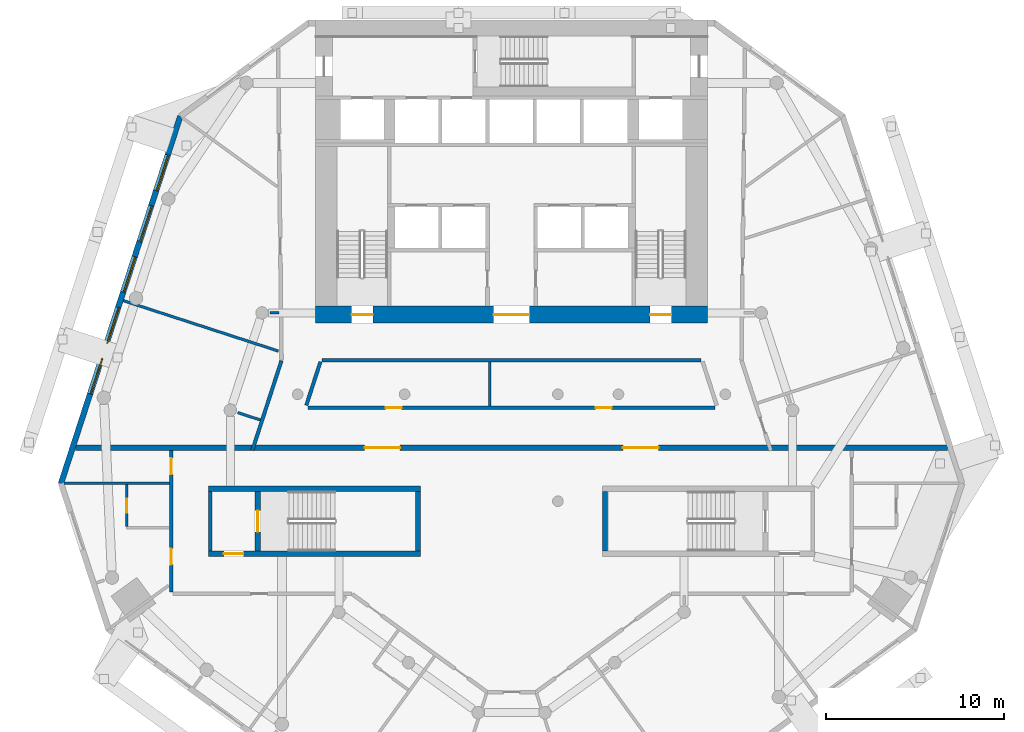
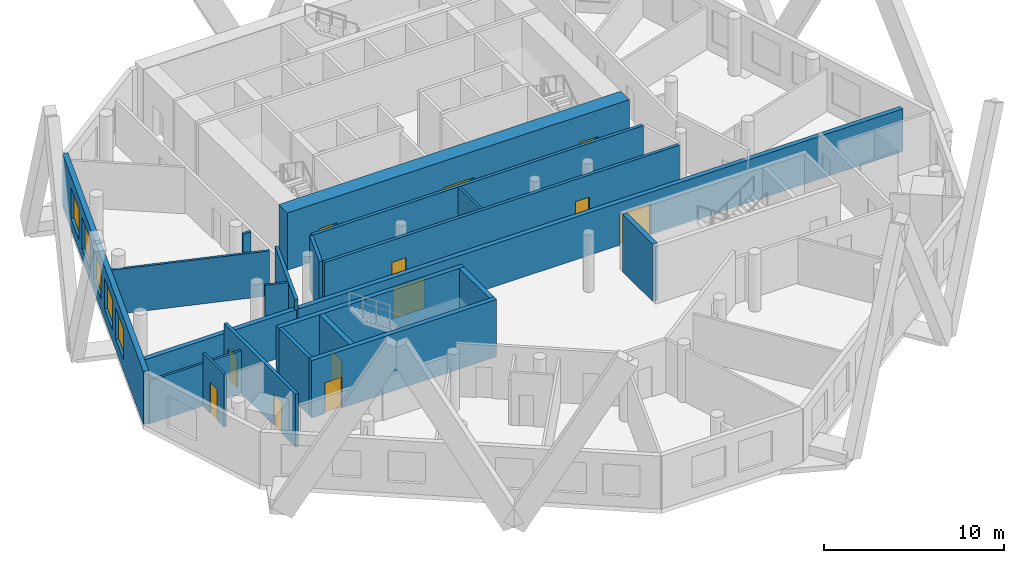
# One storey, part 4 of 9: 20 walls, 12 doors, 5 windows, 17 openings.
"""IFC4 building model written with IfcOpenShell, lengths in metres."""

from ifc_helpers import new_model, si_unit, direction, frame, frame_2d, origin, place, context, subcontext, project, spatial, rectangle, extrude, material, layer, layer_set, type_object, element, fill, save


model = new_model("IFC4")

# Units and contexts
model_context = context("Model", 3, precision=1e-05, world=origin(), true_north=direction((0.0, 1.0)))
body_context = subcontext(model_context, "Body", "Model", "MODEL_VIEW")
ifc_project = project(units=[si_unit("LENGTHUNIT", "METRE"), si_unit("AREAUNIT", "SQUARE_METRE"), si_unit("VOLUMEUNIT", "CUBIC_METRE"), si_unit("PLANEANGLEUNIT", "RADIAN"), si_unit("MASSUNIT", "GRAM", prefix="KILO")], contexts=[model_context])

# Site, building, storey
site_placement = place(None, origin())
site = spatial("IfcSite", under=ifc_project, at=site_placement, CompositionType="ELEMENT")
building_placement = place(site_placement, origin())
building = spatial("IfcBuilding", under=site, at=building_placement, Name="White Candle Pilgrim Tower", CompositionType="ELEMENT")
storey_placement = place(building_placement, frame((0.0, 0.0, 148.60009765625)))
storey = spatial("IfcBuildingStorey", under=building, at=storey_placement, Name="L33", CompositionType="ELEMENT", Elevation=148.60009765625)

# Walls
ifc_material_1 = material(Name="Concrete C60/75", Category="concrete")
ifc_layer_1 = layer(ifc_material_1, 0.199951171875)
ifc_layer_set_1 = layer_set([ifc_layer_1], Name="Core wall 200 mm Concrete C60/75")
wall_type_1 = type_object("IfcWallType", Name="Core wall 200 mm Concrete C60/75", PredefinedType="SHEAR", material=ifc_layer_set_1)
wall_1_placement = place(storey_placement, frame((53.10009765625, 58.199951171875, 0.0), z_axis=(0.0, 0.0, 1.0), x_axis=(0.0, 1.0, 0.0)))
element("IfcWall", 1, at=wall_1_placement, inside=storey, type_object=wall_type_1, Name="WL-L33-C03", PredefinedType="SHEAR", context=body_context, shape_type="SweptSolid", body=[
    extrude(rectangle(XDim=3.35009765625, YDim=0.199951171875, at=frame_2d((1.675048828125, 0.0))), origin(), (0.0, 0.0, 1.0), 3.89990234375),
])
ifc_material_2 = material(Name="Gypsum board on steel studs", Category="steel")
ifc_layer_2 = layer(ifc_material_2, 0.199951171875)
ifc_layer_set_2 = layer_set([ifc_layer_2], Name="Corridor wall 200 mm EI 45")
wall_type_2 = type_object("IfcWallType", Name="Corridor wall 200 mm EI 45", PredefinedType="PARTITIONING", material=ifc_layer_set_2)
wall_2_placement = place(storey_placement, frame((55.45263671875, 63.85009765625, 0.0), z_axis=(0.0, 0.0, 1.0), x_axis=(0.309009941901, 0.951058807754, 0.0)))
element("IfcWall", 2, at=wall_2_placement, inside=storey, type_object=wall_type_2, Name="WL-L33-P002", PredefinedType="PARTITIONING", context=body_context, shape_type="SweptSolid", body=[
    extrude(rectangle(XDim=5.29345703125, YDim=0.199951171875, at=frame_2d((2.646728515625, 0.0))), origin(), (0.0, 0.0, 1.0), 3.599853515625),
])

# Wall, openings, doors
wall_3_placement = place(storey_placement, frame((50.89990234375, 55.89990234375, 0.0), z_axis=(0.0, 0.0, 1.0), x_axis=(0.0, 1.0, 0.0)))
wall_3 = element("IfcWall", 3, at=wall_3_placement, inside=storey, type_object=wall_type_2, Name="WL-L33-P012", PredefinedType="PARTITIONING", context=body_context, shape_type="SweptSolid", body=[
    extrude(rectangle(XDim=7.9501953125, YDim=0.199951171875, at=frame_2d((3.97509765625, 0.0))), origin(), (0.0, 0.0, 1.0), 3.599853515625),
])
opening_1_placement = place(wall_3_placement, frame((1.537841796875, 0.0, 0.0)))
opening_1 = element("IfcOpeningElement", 4, at=opening_1_placement, cuts=wall_3, Name="Opening T10-102", PredefinedType="OPENING", context=body_context, shape_type="SweptSolid", body=[
    extrude(rectangle(XDim=0.89990234375, YDim=2.10009765625, at=frame_2d((0.449951171875, 1.050048828125))), frame((0.0, 0.10986328125, 0.0), z_axis=(0.0, -1.0, 0.0), x_axis=(1.0, 0.0, 0.0)), (0.0, 0.0, 1.0), 0.219970703125),
])
opening_2_placement = place(wall_3_placement, frame((6.613525390625, 0.0, 0.0)))
opening_2 = element("IfcOpeningElement", 5, at=opening_2_placement, cuts=wall_3, Name="Opening T10-117", PredefinedType="OPENING", context=body_context, shape_type="SweptSolid", body=[
    extrude(rectangle(XDim=0.89990234375, YDim=2.10009765625, at=frame_2d((0.449951171875, 1.050048828125))), frame((0.0, 0.10986328125, 0.0), z_axis=(0.0, -1.0, 0.0), x_axis=(1.0, 0.0, 0.0)), (0.0, 0.0, 1.0), 0.219970703125),
])
ifc_material_3 = material(Name="Steel door leaf", Category="steel")
door_type_1 = type_object("IfcDoorType", Name="Fire door 900 x 2100 EI 30", OperationType="NOTDEFINED", PredefinedType="DOOR", material=ifc_material_3)
door_1_placement = place(opening_1_placement, origin())
door_1 = element("IfcDoor", 6, at=door_1_placement, inside=storey, type_object=door_type_1, Name="Door T10-102", OperationType="SINGLE_SWING_RIGHT", OverallHeight=2.10009765625, OverallWidth=0.89990234375, PredefinedType="DOOR", context=body_context, shape_type="SweptSolid", body=[
    extrude(rectangle(XDim=0.89990234375, YDim=2.10009765625, at=frame_2d((0.449951171875, 1.050048828125))), frame((0.0, 0.02490234375, 0.0), z_axis=(0.0, -1.0, 0.0), x_axis=(1.0, 0.0, 0.0)), (0.0, 0.0, 1.0), 0.050048828125),
])
fill(opening_1, door_1)
door_2_placement = place(opening_2_placement, origin())
door_2 = element("IfcDoor", 7, at=door_2_placement, inside=storey, type_object=door_type_1, Name="Door T10-117", OperationType="SINGLE_SWING_LEFT", OverallHeight=2.10009765625, OverallWidth=0.89990234375, PredefinedType="DOOR", context=body_context, shape_type="SweptSolid", body=[
    extrude(rectangle(XDim=0.89990234375, YDim=2.10009765625, at=frame_2d((0.449951171875, 1.050048828125))), frame((0.0, 0.02490234375, 0.0), z_axis=(0.0, -1.0, 0.0), x_axis=(1.0, 0.0, 0.0)), (0.0, 0.0, 1.0), 0.050048828125),
])
fill(opening_2, door_2)

wall_4_placement = place(storey_placement, frame((58.578125, 66.25, 0.0), z_axis=(0.0, 0.0, 1.0), x_axis=(1.0, 0.0, 0.0)))
wall_4 = element("IfcWall", 8, at=wall_4_placement, inside=storey, type_object=wall_type_2, Name="WL-L33-P013", PredefinedType="PARTITIONING", context=body_context, shape_type="SweptSolid", body=[
    extrude(rectangle(XDim=22.84375, YDim=0.199951171875, at=frame_2d((11.421875, 0.0))), origin(), (0.0, 0.0, 1.0), 3.599853515625),
])
opening_3_placement = place(wall_4_placement, frame((4.359130859375, 0.0, 0.0)))
opening_3 = element("IfcOpeningElement", 9, at=opening_3_placement, cuts=wall_4, Name="Opening T10-115", PredefinedType="OPENING", context=body_context, shape_type="SweptSolid", body=[
    extrude(rectangle(XDim=0.89990234375, YDim=2.10009765625, at=frame_2d((0.449951171875, 1.050048828125))), frame((0.0, 0.10986328125, 0.0), z_axis=(0.0, -1.0, 0.0), x_axis=(1.0, 0.0, 0.0)), (0.0, 0.0, 1.0), 0.219970703125),
])
opening_4_placement = place(wall_4_placement, frame((16.1435546875, 0.0, 0.0)))
opening_4 = element("IfcOpeningElement", 10, at=opening_4_placement, cuts=wall_4, Name="Opening T10-116", PredefinedType="OPENING", context=body_context, shape_type="SweptSolid", body=[
    extrude(rectangle(XDim=0.89990234375, YDim=2.10009765625, at=frame_2d((0.449951171875, 1.050048828125))), frame((0.0, 0.10986328125, 0.0), z_axis=(0.0, -1.0, 0.0), x_axis=(1.0, 0.0, 0.0)), (0.0, 0.0, 1.0), 0.219970703125),
])
door_3_placement = place(opening_3_placement, origin())
door_3 = element("IfcDoor", 11, at=door_3_placement, inside=storey, type_object=door_type_1, Name="Door T10-115", OperationType="SINGLE_SWING_LEFT", OverallHeight=2.10009765625, OverallWidth=0.89990234375, PredefinedType="DOOR", context=body_context, shape_type="SweptSolid", body=[
    extrude(rectangle(XDim=0.89990234375, YDim=2.10009765625, at=frame_2d((0.449951171875, 1.050048828125))), frame((0.0, 0.02490234375, 0.0), z_axis=(0.0, -1.0, 0.0), x_axis=(1.0, 0.0, 0.0)), (0.0, 0.0, 1.0), 0.050048828125),
])
fill(opening_3, door_3)
door_4_placement = place(opening_4_placement, origin())
door_4 = element("IfcDoor", 12, at=door_4_placement, inside=storey, type_object=door_type_1, Name="Door T10-116", OperationType="SINGLE_SWING_RIGHT", OverallHeight=2.10009765625, OverallWidth=0.89990234375, PredefinedType="DOOR", context=body_context, shape_type="SweptSolid", body=[
    extrude(rectangle(XDim=0.89990234375, YDim=2.10009765625, at=frame_2d((0.449951171875, 1.050048828125))), frame((0.0, 0.02490234375, 0.0), z_axis=(0.0, -1.0, 0.0), x_axis=(1.0, 0.0, 0.0)), (0.0, 0.0, 1.0), 0.050048828125),
])
fill(opening_4, door_4)

# Walls
wall_5_placement = place(storey_placement, frame((80.625732421875, 68.89990234375, 0.0), z_axis=(0.0, 0.0, 1.0), x_axis=(-1.0, 0.0, 0.0)))
element("IfcWall", 13, at=wall_5_placement, inside=storey, type_object=wall_type_2, Name="WL-L33-P015", PredefinedType="PARTITIONING", context=body_context, shape_type="SweptSolid", body=[
    extrude(rectangle(XDim=21.25146484375, YDim=0.199951171875, at=frame_2d((10.625732421875, 0.0))), origin(), (0.0, 0.0, 1.0), 3.599853515625),
])
wall_6_placement = place(storey_placement, frame((59.279052734375, 68.830810546875, 0.0), z_axis=(0.0, 0.0, 1.0), x_axis=(-0.308968203288, -0.951072368097, 0.0)))
element("IfcWall", 14, at=wall_6_placement, inside=storey, type_object=wall_type_2, Name="WL-L33-P016", PredefinedType="PARTITIONING", context=body_context, shape_type="SweptSolid", body=[
    extrude(rectangle(XDim=2.575927734375, YDim=0.199951171875, at=frame_2d((1.2880859375, 0.0))), origin(), (0.0, 0.0, 1.0), 3.599853515625),
])

# Wall, openings, windows
ifc_material_4 = material(Name="Precast concrete C40/50", Category="concrete")
ifc_layer_3 = layer(ifc_material_4, 0.320068359375)
ifc_layer_set_3 = layer_set([ifc_layer_3], Name="Facade wall EW1 precast concrete C40/50 pier wall with timber-lined reveals")
wall_type_3 = type_object("IfcWallType", Name="Facade wall EW1 precast concrete C40/50 pier wall with timber-lined reveals", PredefinedType="SOLIDWALL", material=ifc_layer_set_3)
wall_7_placement = place(storey_placement, frame((51.41064453125, 82.605712890625, 0.0), z_axis=(0.0, 0.0, 1.0), x_axis=(-0.309020837221, -0.95105526767, 0.0)))
wall_7 = element("IfcWall", 15, at=wall_7_placement, inside=storey, type_object=wall_type_3, Name="Facade wall L33 WNW", PredefinedType="SOLIDWALL", context=body_context, shape_type="SweptSolid", body=[
    extrude(rectangle(XDim=21.663818359375, YDim=0.320068359375, at=frame_2d((10.83203125, 0.0))), origin(), (0.0, 0.0, 1.0), 3.599853515625),
])
opening_5_placement = place(wall_7_placement, frame((2.281982421875, 0.0, 0.75)))
opening_5 = element("IfcOpeningElement", 16, at=opening_5_placement, cuts=wall_7, Name="Opening W3", PredefinedType="OPENING", context=body_context, shape_type="SweptSolid", body=[
    extrude(rectangle(XDim=2.10009765625, YDim=2.10009765625, at=frame_2d((1.050048828125, 1.050048828125))), frame((0.0, 0.169921875, 0.0), z_axis=(0.0, -1.0, 0.0), x_axis=(1.0, 0.0, 0.0)), (0.0, 0.0, 1.0), 0.340087890625),
])
opening_6_placement = place(wall_7_placement, frame((5.281982421875, 0.0, 0.75)))
opening_6 = element("IfcOpeningElement", 17, at=opening_6_placement, cuts=wall_7, Name="Opening W3", PredefinedType="OPENING", context=body_context, shape_type="SweptSolid", body=[
    extrude(rectangle(XDim=2.10009765625, YDim=2.10009765625, at=frame_2d((1.050048828125, 1.050048828125))), frame((0.0, 0.169921875, 0.0), z_axis=(0.0, -1.0, 0.0), x_axis=(1.0, 0.0, 0.0)), (0.0, 0.0, 1.0), 0.340087890625),
])
opening_7_placement = place(wall_7_placement, frame((8.281982421875, 0.0, 0.75)))
opening_7 = element("IfcOpeningElement", 18, at=opening_7_placement, cuts=wall_7, Name="Opening W3", PredefinedType="OPENING", context=body_context, shape_type="SweptSolid", body=[
    extrude(rectangle(XDim=2.10009765625, YDim=2.10009765625, at=frame_2d((1.050048828125, 1.050048828125))), frame((0.0, 0.169921875, 0.0), z_axis=(0.0, -1.0, 0.0), x_axis=(1.0, 0.0, 0.0)), (0.0, 0.0, 1.0), 0.340087890625),
])
opening_8_placement = place(wall_7_placement, frame((11.281982421875, 0.0, 0.75)))
opening_8 = element("IfcOpeningElement", 19, at=opening_8_placement, cuts=wall_7, Name="Opening W3", PredefinedType="OPENING", context=body_context, shape_type="SweptSolid", body=[
    extrude(rectangle(XDim=2.10009765625, YDim=2.10009765625, at=frame_2d((1.050048828125, 1.050048828125))), frame((0.0, 0.169921875, 0.0), z_axis=(0.0, -1.0, 0.0), x_axis=(1.0, 0.0, 0.0)), (0.0, 0.0, 1.0), 0.340087890625),
])
opening_9_placement = place(wall_7_placement, frame((14.281982421875, 0.0, 0.75)))
opening_9 = element("IfcOpeningElement", 20, at=opening_9_placement, cuts=wall_7, Name="Opening W3", PredefinedType="OPENING", context=body_context, shape_type="SweptSolid", body=[
    extrude(rectangle(XDim=2.10009765625, YDim=2.10009765625, at=frame_2d((1.050048828125, 1.050048828125))), frame((0.0, 0.169921875, 0.0), z_axis=(0.0, -1.0, 0.0), x_axis=(1.0, 0.0, 0.0)), (0.0, 0.0, 1.0), 0.340087890625),
])
ifc_material_5 = material(Name="Timber frame with triple glazing", Category="wood")
window_type = type_object("IfcWindowType", Name="Window W3 2100x2100 timber frame triple glazing", PartitioningType="SINGLE_PANEL", PredefinedType="WINDOW", material=ifc_material_5)
window_1_placement = place(opening_5_placement, origin())
window_1 = element("IfcWindow", 21, at=window_1_placement, inside=storey, type_object=window_type, Name="Window W3 L33 WNW 1", OverallHeight=2.10009765625, OverallWidth=2.10009765625, PartitioningType="SINGLE_PANEL", PredefinedType="WINDOW", context=body_context, shape_type="SweptSolid", body=[
    extrude(rectangle(XDim=2.10009765625, YDim=2.10009765625, at=frame_2d((1.050048828125, 1.050048828125))), frame((0.0, 0.070068359375, 0.0), z_axis=(0.0, -1.0, 0.0), x_axis=(1.0, 0.0, 0.0)), (0.0, 0.0, 1.0), 0.06005859375),
])
fill(opening_5, window_1)
window_2_placement = place(opening_6_placement, origin())
window_2 = element("IfcWindow", 22, at=window_2_placement, inside=storey, type_object=window_type, Name="Window W3 L33 WNW 2", OverallHeight=2.10009765625, OverallWidth=2.10009765625, PartitioningType="SINGLE_PANEL", PredefinedType="WINDOW", context=body_context, shape_type="SweptSolid", body=[
    extrude(rectangle(XDim=2.10009765625, YDim=2.10009765625, at=frame_2d((1.050048828125, 1.050048828125))), frame((0.0, 0.070068359375, 0.0), z_axis=(0.0, -1.0, 0.0), x_axis=(1.0, 0.0, 0.0)), (0.0, 0.0, 1.0), 0.06005859375),
])
fill(opening_6, window_2)
window_3_placement = place(opening_7_placement, origin())
window_3 = element("IfcWindow", 23, at=window_3_placement, inside=storey, type_object=window_type, Name="Window W3 L33 WNW 3", OverallHeight=2.10009765625, OverallWidth=2.10009765625, PartitioningType="SINGLE_PANEL", PredefinedType="WINDOW", context=body_context, shape_type="SweptSolid", body=[
    extrude(rectangle(XDim=2.10009765625, YDim=2.10009765625, at=frame_2d((1.050048828125, 1.050048828125))), frame((0.0, 0.070068359375, 0.0), z_axis=(0.0, -1.0, 0.0), x_axis=(1.0, 0.0, 0.0)), (0.0, 0.0, 1.0), 0.06005859375),
])
fill(opening_7, window_3)
window_4_placement = place(opening_8_placement, origin())
window_4 = element("IfcWindow", 24, at=window_4_placement, inside=storey, type_object=window_type, Name="Window W3 L33 WNW 4", OverallHeight=2.10009765625, OverallWidth=2.10009765625, PartitioningType="SINGLE_PANEL", PredefinedType="WINDOW", context=body_context, shape_type="SweptSolid", body=[
    extrude(rectangle(XDim=2.10009765625, YDim=2.10009765625, at=frame_2d((1.050048828125, 1.050048828125))), frame((0.0, 0.070068359375, 0.0), z_axis=(0.0, -1.0, 0.0), x_axis=(1.0, 0.0, 0.0)), (0.0, 0.0, 1.0), 0.06005859375),
])
fill(opening_8, window_4)
window_5_placement = place(opening_9_placement, origin())
window_5 = element("IfcWindow", 25, at=window_5_placement, inside=storey, type_object=window_type, Name="Window W3 L33 WNW 5", OverallHeight=2.10009765625, OverallWidth=2.10009765625, PartitioningType="SINGLE_PANEL", PredefinedType="WINDOW", context=body_context, shape_type="SweptSolid", body=[
    extrude(rectangle(XDim=2.10009765625, YDim=2.10009765625, at=frame_2d((1.050048828125, 1.050048828125))), frame((0.0, 0.070068359375, 0.0), z_axis=(0.0, -1.0, 0.0), x_axis=(1.0, 0.0, 0.0)), (0.0, 0.0, 1.0), 0.06005859375),
])
fill(opening_9, window_5)

# Wall, openings, doors
ifc_material_6 = material(Name="Aerated concrete block", Category="concrete")
ifc_layer_4 = layer(ifc_material_6, 0.300048828125)
ifc_layer_set_4 = layer_set([ifc_layer_4], Name="Fire wall 300 mm REI 240")
wall_type_4 = type_object("IfcWallType", Name="Fire wall 300 mm REI 240", PredefinedType="PARTITIONING", material=ifc_layer_set_4)
wall_8_placement = place(storey_placement, frame((45.533447265625, 64.0, 0.0), z_axis=(0.0, 0.0, 1.0), x_axis=(1.0, 0.0, 0.0)))
wall_8 = element("IfcWall", 26, at=wall_8_placement, inside=storey, type_object=wall_type_4, Name="WL-L33-P001", PredefinedType="PARTITIONING", context=body_context, shape_type="SweptSolid", body=[
    extrude(rectangle(XDim=48.93310546875, YDim=0.300048828125, at=frame_2d((24.466552734375, 0.0))), origin(), (0.0, 0.0, 1.0), 2.89990234375),
])
opening_10_placement = place(wall_8_placement, frame((16.21728515625, 0.0, 0.0)))
opening_10 = element("IfcOpeningElement", 27, at=opening_10_placement, cuts=wall_8, Name="Opening T10-113", PredefinedType="OPENING", context=body_context, shape_type="SweptSolid", body=[
    extrude(rectangle(XDim=2.0, YDim=2.10009765625, at=frame_2d((1.0, 1.050048828125))), frame((0.0, 0.159912109375, 0.0), z_axis=(0.0, -1.0, 0.0), x_axis=(1.0, 0.0, 0.0)), (0.0, 0.0, 1.0), 0.320068359375),
])
opening_11_placement = place(wall_8_placement, frame((30.7158203125, 0.0, 0.0)))
opening_11 = element("IfcOpeningElement", 28, at=opening_11_placement, cuts=wall_8, Name="Opening T10-114", PredefinedType="OPENING", context=body_context, shape_type="SweptSolid", body=[
    extrude(rectangle(XDim=2.0, YDim=2.10009765625, at=frame_2d((1.0, 1.050048828125))), frame((0.0, 0.159912109375, 0.0), z_axis=(0.0, -1.0, 0.0), x_axis=(1.0, 0.0, 0.0)), (0.0, 0.0, 1.0), 0.320068359375),
])
door_type_2 = type_object("IfcDoorType", Name="Fire door 2000 x 2100 EI 60", OperationType="NOTDEFINED", PredefinedType="DOOR", material=ifc_material_3)
door_5_placement = place(opening_10_placement, origin())
door_5 = element("IfcDoor", 29, at=door_5_placement, inside=storey, type_object=door_type_2, Name="Door T10-113", OperationType="DOUBLE_DOOR_SINGLE_SWING", OverallHeight=2.10009765625, OverallWidth=2.0, PredefinedType="DOOR", context=body_context, shape_type="SweptSolid", body=[
    extrude(rectangle(XDim=2.0, YDim=2.10009765625, at=frame_2d((1.0, 1.050048828125))), frame((0.0, 0.02490234375, 0.0), z_axis=(0.0, -1.0, 0.0), x_axis=(1.0, 0.0, 0.0)), (0.0, 0.0, 1.0), 0.050048828125),
])
fill(opening_10, door_5)
door_6_placement = place(opening_11_placement, origin())
door_6 = element("IfcDoor", 30, at=door_6_placement, inside=storey, type_object=door_type_2, Name="Door T10-114", OperationType="DOUBLE_DOOR_SINGLE_SWING", OverallHeight=2.10009765625, OverallWidth=2.0, PredefinedType="DOOR", context=body_context, shape_type="SweptSolid", body=[
    extrude(rectangle(XDim=2.0, YDim=2.10009765625, at=frame_2d((1.0, 1.050048828125))), frame((0.0, 0.02490234375, 0.0), z_axis=(0.0, -1.0, 0.0), x_axis=(1.0, 0.0, 0.0)), (0.0, 0.0, 1.0), 0.050048828125),
])
fill(opening_11, door_6)

# Walls
ifc_layer_5 = layer(ifc_material_2, 0.14990234375)
ifc_layer_set_5 = layer_set([ifc_layer_5], Name="Partition 150 mm EI 60")
wall_type_5 = type_object("IfcWallType", Name="Partition 150 mm EI 60", PredefinedType="PARTITIONING", material=ifc_layer_set_5)
wall_9_placement = place(storey_placement, frame((44.884521484375, 62.002197265625, 0.0), z_axis=(0.0, 0.0, 1.0), x_axis=(1.0, 0.0, 0.0)))
element("IfcWall", 31, at=wall_9_placement, inside=storey, type_object=wall_type_5, Name="WL-L33-P018", PredefinedType="PARTITIONING", context=body_context, shape_type="SweptSolid", body=[
    extrude(rectangle(XDim=5.91552734375, YDim=0.14990234375, at=frame_2d((2.957763671875, 0.0))), origin(), (0.0, 0.0, 1.0), 2.89990234375),
])
wall_10_placement = place(storey_placement, frame((48.215576171875, 72.25439453125, 0.0), z_axis=(0.0, 0.0, 1.0), x_axis=(0.951059353681, -0.309008261662, 0.0)))
element("IfcWall", 32, at=wall_10_placement, inside=storey, type_object=wall_type_5, Name="WL-L33-P025", PredefinedType="PARTITIONING", context=body_context, shape_type="SweptSolid", body=[
    extrude(rectangle(XDim=9.15234375, YDim=0.14990234375, at=frame_2d((4.576171875, 0.0))), origin(), (0.0, 0.0, 1.0), 3.0498046875),
])

# Wall, opening, door
wall_11_placement = place(storey_placement, frame((48.39990234375, 61.92724609375, 0.0), z_axis=(0.0, 0.0, 1.0), x_axis=(0.0, -1.0, 0.0)))
wall_11 = element("IfcWall", 33, at=wall_11_placement, inside=storey, type_object=wall_type_5, Name="WL-L33-P027", PredefinedType="PARTITIONING", context=body_context, shape_type="SweptSolid", body=[
    extrude(rectangle(XDim=2.35009765625, YDim=0.14990234375, at=frame_2d((1.175048828125, 0.0))), origin(), (0.0, 0.0, 1.0), 3.599853515625),
])
opening_12_placement = place(wall_11_placement, frame((0.77490234375, 0.0, 0.0)))
opening_12 = element("IfcOpeningElement", 34, at=opening_12_placement, cuts=wall_11, Name="Opening T10-101", PredefinedType="OPENING", context=body_context, shape_type="SweptSolid", body=[
    extrude(rectangle(XDim=0.800048828125, YDim=2.10009765625, at=frame_2d((0.39990234375, 1.050048828125))), frame((0.0, 0.0849609375, 0.0), z_axis=(0.0, -1.0, 0.0), x_axis=(1.0, 0.0, 0.0)), (0.0, 0.0, 1.0), 0.169921875),
])
door_type_3 = type_object("IfcDoorType", Name="Fire door 800 x 2100 EI 30", OperationType="NOTDEFINED", PredefinedType="DOOR", material=ifc_material_3)
door_7_placement = place(opening_12_placement, frame((0.800048828125, 0.0, 0.0), z_axis=(0.0, 0.0, 1.0), x_axis=(-1.0, 0.0, 0.0)))
door_7 = element("IfcDoor", 35, at=door_7_placement, inside=storey, type_object=door_type_3, Name="Door T10-101", OperationType="SINGLE_SWING_RIGHT", OverallHeight=2.10009765625, OverallWidth=0.800048828125, PredefinedType="DOOR", context=body_context, shape_type="SweptSolid", body=[
    extrude(rectangle(XDim=0.800048828125, YDim=2.10009765625, at=frame_2d((0.39990234375, 1.050048828125))), frame((0.0, 0.02490234375, 0.0), z_axis=(0.0, -1.0, 0.0), x_axis=(1.0, 0.0, 0.0)), (0.0, 0.0, 1.0), 0.050048828125),
])
fill(opening_12, door_7)

# Walls
wall_12_placement = place(storey_placement, frame((68.7841796875, 66.35009765625, 0.0), z_axis=(0.0, 0.0, 1.0), x_axis=(0.0, 1.0, 0.0)))
element("IfcWall", 36, at=wall_12_placement, inside=storey, type_object=wall_type_5, Name="WL-L33-P038", PredefinedType="PARTITIONING", context=body_context, shape_type="SweptSolid", body=[
    extrude(rectangle(XDim=2.449951171875, YDim=0.14990234375, at=frame_2d((1.22509765625, 0.0))), origin(), (0.0, 0.0, 1.0), 3.599853515625),
])
wall_13_placement = place(storey_placement, frame((56.43994140625, 71.572509765625, 0.0), z_axis=(0.0, 0.0, 1.0), x_axis=(0.99993746944, 0.011182898074, 0.0)))
element("IfcWall", 37, at=wall_13_placement, inside=storey, type_object=wall_type_5, Name="WL-L33-P049", PredefinedType="PARTITIONING", context=body_context, shape_type="SweptSolid", body=[
    extrude(rectangle(XDim=0.52392578125, YDim=0.14990234375, at=frame_2d((0.261962890625, 0.0))), origin(), (0.0, 0.0, 1.0), 3.0498046875),
])
wall_14_placement = place(storey_placement, frame((54.637451171875, 65.970947265625, 0.0), z_axis=(0.0, 0.0, 1.0), x_axis=(0.951077203056, -0.30895331982, 0.0)))
element("IfcWall", 38, at=wall_14_placement, inside=storey, type_object=wall_type_5, Name="WL-L33-P050", PredefinedType="PARTITIONING", context=body_context, shape_type="SweptSolid", body=[
    extrude(rectangle(XDim=1.330810546875, YDim=0.14990234375, at=frame_2d((0.66552734375, 0.0))), origin(), (0.0, 0.0, 1.0), 3.599853515625),
])

# Wall, opening, door
ifc_layer_6 = layer(ifc_material_1, 0.300048828125)
ifc_layer_set_6 = layer_set([ifc_layer_6], Name="Stair shaft wall 300 mm Concrete C60/75")
wall_type_6 = type_object("IfcWallType", Name="Stair shaft wall 300 mm Concrete C60/75", PredefinedType="SHEAR", material=ifc_layer_set_6)
wall_15_placement = place(storey_placement, frame((53.0, 58.050048828125, 0.0), z_axis=(0.0, 0.0, 1.0), x_axis=(1.0, 0.0, 0.0)))
wall_15 = element("IfcWall", 39, at=wall_15_placement, inside=storey, type_object=wall_type_6, Name="WL-L33-C01", PredefinedType="SHEAR", context=body_context, shape_type="SweptSolid", body=[
    extrude(rectangle(XDim=11.89990234375, YDim=0.300048828125, at=frame_2d((5.949951171875, 0.0))), origin(), (0.0, 0.0, 1.0), 3.89990234375),
])
opening_13_placement = place(wall_15_placement, frame((0.85009765625, 0.0, 0.0)))
opening_13 = element("IfcOpeningElement", 40, at=opening_13_placement, cuts=wall_15, Name="Opening T10-009", PredefinedType="OPENING", context=body_context, shape_type="SweptSolid", body=[
    extrude(rectangle(XDim=1.10009765625, YDim=2.10009765625, at=frame_2d((0.550048828125, 1.050048828125))), frame((0.0, 0.159912109375, 0.0), z_axis=(0.0, -1.0, 0.0), x_axis=(1.0, 0.0, 0.0)), (0.0, 0.0, 1.0), 0.320068359375),
])
door_type_4 = type_object("IfcDoorType", Name="Fire door 1100 x 2100 EI 60", OperationType="NOTDEFINED", PredefinedType="DOOR", material=ifc_material_3)
door_8_placement = place(opening_13_placement, origin())
door_8 = element("IfcDoor", 41, at=door_8_placement, inside=storey, type_object=door_type_4, Name="Door T10-009", OperationType="SINGLE_SWING_LEFT", OverallHeight=2.10009765625, OverallWidth=1.10009765625, PredefinedType="DOOR", context=body_context, shape_type="SweptSolid", body=[
    extrude(rectangle(XDim=1.10009765625, YDim=2.10009765625, at=frame_2d((0.550048828125, 1.050048828125))), frame((0.0, 0.02490234375, 0.0), z_axis=(0.0, -1.0, 0.0), x_axis=(1.0, 0.0, 0.0)), (0.0, 0.0, 1.0), 0.050048828125),
])
fill(opening_13, door_8)

wall_16_placement = place(storey_placement, frame((55.75, 58.199951171875, 0.0), z_axis=(0.0, 0.0, 1.0), x_axis=(0.0, 1.0, 0.0)))
wall_16 = element("IfcWall", 42, at=wall_16_placement, inside=storey, type_object=wall_type_6, Name="WL-L33-C04", PredefinedType="SHEAR", context=body_context, shape_type="SweptSolid", body=[
    extrude(rectangle(XDim=3.35009765625, YDim=0.300048828125, at=frame_2d((1.675048828125, 0.0))), origin(), (0.0, 0.0, 1.0), 3.89990234375),
])
opening_14_placement = place(wall_16_placement, frame((1.074951171875, 0.0, 0.0)))
opening_14 = element("IfcOpeningElement", 43, at=opening_14_placement, cuts=wall_16, Name="Opening T10-010", PredefinedType="OPENING", context=body_context, shape_type="SweptSolid", body=[
    extrude(rectangle(XDim=1.199951171875, YDim=2.10009765625, at=frame_2d((0.60009765625, 1.050048828125))), frame((0.0, 0.159912109375, 0.0), z_axis=(0.0, -1.0, 0.0), x_axis=(1.0, 0.0, 0.0)), (0.0, 0.0, 1.0), 0.320068359375),
])
door_type_5 = type_object("IfcDoorType", Name="Fire door 1200 x 2100 EI 60", OperationType="NOTDEFINED", PredefinedType="DOOR", material=ifc_material_3)
door_9_placement = place(opening_14_placement, frame((1.199951171875, 0.0, 0.0), z_axis=(0.0, 0.0, 1.0), x_axis=(-1.0, 0.0, 0.0)))
door_9 = element("IfcDoor", 44, at=door_9_placement, inside=storey, type_object=door_type_5, Name="Door T10-010", OperationType="SINGLE_SWING_LEFT", OverallHeight=2.10009765625, OverallWidth=1.199951171875, PredefinedType="DOOR", context=body_context, shape_type="SweptSolid", body=[
    extrude(rectangle(XDim=1.199951171875, YDim=2.10009765625, at=frame_2d((0.60009765625, 1.050048828125))), frame((0.0, 0.02490234375, 0.0), z_axis=(0.0, -1.0, 0.0), x_axis=(1.0, 0.0, 0.0)), (0.0, 0.0, 1.0), 0.050048828125),
])
fill(opening_14, door_9)

# Walls
for number, where, z_axis, x_axis, name in (
    (45, (64.75, 58.199951171875, 0.0), (0.0, 0.0, 1.0), (0.0, 1.0, 0.0), "WL-L33-C05"),
    (46, (75.25, 58.199951171875, 0.0), (0.0, 0.0, 1.0), (0.0, 1.0, 0.0), "WL-L33-C06"),
):
    element("IfcWall", number, at=place(storey_placement, frame(where, z_axis=z_axis, x_axis=x_axis)), inside=storey, type_object=wall_type_6, Name=name, PredefinedType="SHEAR", context=body_context, shape_type="SweptSolid", body=[
        extrude(rectangle(XDim=3.35009765625, YDim=0.300048828125, at=frame_2d((1.675048828125, 0.0))), origin(), (0.0, 0.0, 1.0), 3.89990234375),
    ])
wall_17_placement = place(storey_placement, frame((53.0, 61.699951171875, 0.0), z_axis=(0.0, 0.0, 1.0), x_axis=(1.0, 0.0, 0.0)))
element("IfcWall", 47, at=wall_17_placement, inside=storey, type_object=wall_type_6, Name="WL-L33-C09", PredefinedType="SHEAR", context=body_context, shape_type="SweptSolid", body=[
    extrude(rectangle(XDim=11.89990234375, YDim=0.300048828125, at=frame_2d((5.949951171875, 0.0))), origin(), (0.0, 0.0, 1.0), 3.89990234375),
])

# Wall, openings, doors
ifc_layer_7 = layer(ifc_material_1, 0.949951171875)
ifc_layer_set_7 = layer_set([ifc_layer_7], Name="Stair shaft wall 950 mm Concrete C60/75")
wall_type_7 = type_object("IfcWallType", Name="Stair shaft wall 950 mm Concrete C60/75", PredefinedType="SHEAR", material=ifc_layer_set_7)
wall_18_placement = place(storey_placement, frame((59.0, 71.47509765625, 0.0), z_axis=(0.0, 0.0, 1.0), x_axis=(1.0, 0.0, 0.0)))
wall_18 = element("IfcWall", 48, at=wall_18_placement, inside=storey, type_object=wall_type_7, Name="WL-L33-C11", PredefinedType="SHEAR", context=body_context, shape_type="SweptSolid", body=[
    extrude(rectangle(XDim=22.0, YDim=0.949951171875, at=frame_2d((11.0, 0.0))), origin(), (0.0, 0.0, 1.0), 3.89990234375),
])
opening_15_placement = place(wall_18_placement, frame((2.02490234375, 0.0, 0.0)))
opening_15 = element("IfcOpeningElement", 49, at=opening_15_placement, cuts=wall_18, Name="Opening T10-001", PredefinedType="OPENING", context=body_context, shape_type="SweptSolid", body=[
    extrude(rectangle(XDim=1.199951171875, YDim=2.10009765625, at=frame_2d((0.60009765625, 1.050048828125))), frame((0.0, 0.48486328125, 0.0), z_axis=(0.0, -1.0, 0.0), x_axis=(1.0, 0.0, 0.0)), (0.0, 0.0, 1.0), 0.969970703125),
])
opening_16_placement = place(wall_18_placement, frame((18.77490234375, 0.0, 0.0)))
opening_16 = element("IfcOpeningElement", 50, at=opening_16_placement, cuts=wall_18, Name="Opening T10-002", PredefinedType="OPENING", context=body_context, shape_type="SweptSolid", body=[
    extrude(rectangle(XDim=1.199951171875, YDim=2.10009765625, at=frame_2d((0.60009765625, 1.050048828125))), frame((0.0, 0.48486328125, 0.0), z_axis=(0.0, -1.0, 0.0), x_axis=(1.0, 0.0, 0.0)), (0.0, 0.0, 1.0), 0.969970703125),
])
opening_17_placement = place(wall_18_placement, frame((10.0, 0.0, 0.0)))
opening_17 = element("IfcOpeningElement", 51, at=opening_17_placement, cuts=wall_18, Name="Opening T10-004", PredefinedType="OPENING", context=body_context, shape_type="SweptSolid", body=[
    extrude(rectangle(XDim=2.0, YDim=2.10009765625, at=frame_2d((1.0, 1.050048828125))), frame((0.0, 0.48486328125, 0.0), z_axis=(0.0, -1.0, 0.0), x_axis=(1.0, 0.0, 0.0)), (0.0, 0.0, 1.0), 0.969970703125),
])
door_10_placement = place(opening_15_placement, frame((1.199951171875, 0.0, 0.0), z_axis=(0.0, 0.0, 1.0), x_axis=(-1.0, 0.0, 0.0)))
door_10 = element("IfcDoor", 52, at=door_10_placement, inside=storey, type_object=door_type_5, Name="Door T10-001", OperationType="SINGLE_SWING_RIGHT", OverallHeight=2.10009765625, OverallWidth=1.199951171875, PredefinedType="DOOR", context=body_context, shape_type="SweptSolid", body=[
    extrude(rectangle(XDim=1.199951171875, YDim=2.10009765625, at=frame_2d((0.60009765625, 1.050048828125))), frame((0.0, 0.02490234375, 0.0), z_axis=(0.0, -1.0, 0.0), x_axis=(1.0, 0.0, 0.0)), (0.0, 0.0, 1.0), 0.050048828125),
])
fill(opening_15, door_10)
door_11_placement = place(opening_16_placement, frame((1.199951171875, 0.0, 0.0), z_axis=(0.0, 0.0, 1.0), x_axis=(-1.0, 0.0, 0.0)))
door_11 = element("IfcDoor", 53, at=door_11_placement, inside=storey, type_object=door_type_5, Name="Door T10-002", OperationType="SINGLE_SWING_LEFT", OverallHeight=2.10009765625, OverallWidth=1.199951171875, PredefinedType="DOOR", context=body_context, shape_type="SweptSolid", body=[
    extrude(rectangle(XDim=1.199951171875, YDim=2.10009765625, at=frame_2d((0.60009765625, 1.050048828125))), frame((0.0, 0.02490234375, 0.0), z_axis=(0.0, -1.0, 0.0), x_axis=(1.0, 0.0, 0.0)), (0.0, 0.0, 1.0), 0.050048828125),
])
fill(opening_16, door_11)
door_12_placement = place(opening_17_placement, frame((2.0, 0.0, 0.0), z_axis=(0.0, 0.0, 1.0), x_axis=(-1.0, 0.0, 0.0)))
door_12 = element("IfcDoor", 54, at=door_12_placement, inside=storey, type_object=door_type_2, Name="Door T10-004", OperationType="DOUBLE_DOOR_SINGLE_SWING", OverallHeight=2.10009765625, OverallWidth=2.0, PredefinedType="DOOR", context=body_context, shape_type="SweptSolid", body=[
    extrude(rectangle(XDim=2.0, YDim=2.10009765625, at=frame_2d((1.0, 1.050048828125))), frame((0.0, 0.02490234375, 0.0), z_axis=(0.0, -1.0, 0.0), x_axis=(1.0, 0.0, 0.0)), (0.0, 0.0, 1.0), 0.050048828125),
])
fill(opening_17, door_12)

save(model, "model.ifc")
